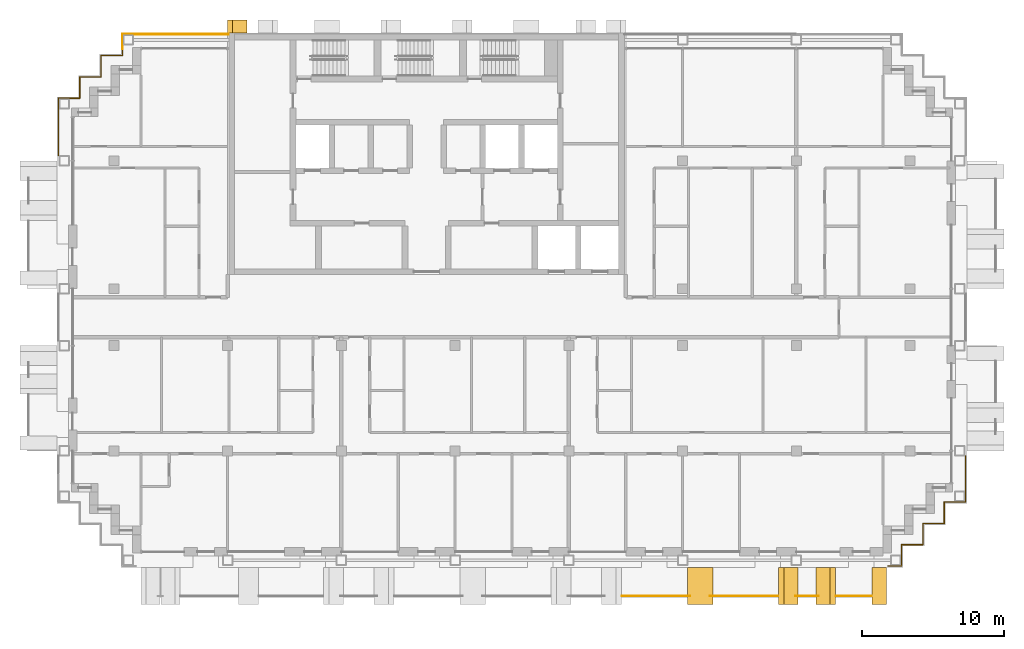
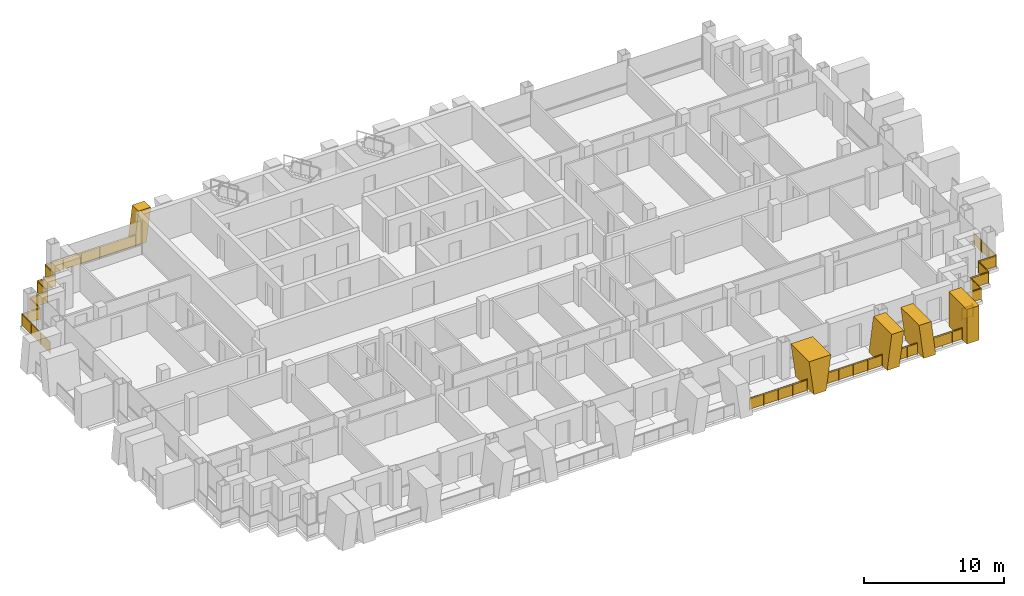
# One storey, part 14 of 16: 8 railings, 5 shading devices.
"""IFC4 building model written with IfcOpenShell, lengths in metres."""

from ifc_helpers import new_model, si_unit, direction, frame, origin, origin_2d, place, context, subcontext, project, spatial, polyline, rectangle, circle, outline, extrude, material, layer, layer_set, type_object, element, save


model = new_model("IFC4")

# Units and contexts
model_context = context("Model", 3, precision=1e-05, world=origin(), true_north=direction((0.0, 1.0)))
body_context = subcontext(model_context, "Body", "Model", "MODEL_VIEW")
ifc_project = project(units=[si_unit("LENGTHUNIT", "METRE"), si_unit("AREAUNIT", "SQUARE_METRE"), si_unit("VOLUMEUNIT", "CUBIC_METRE"), si_unit("PLANEANGLEUNIT", "RADIAN"), si_unit("MASSUNIT", "GRAM", prefix="KILO")], contexts=[model_context])

# Site, building, storey
site_placement = place(None, origin())
site = spatial("IfcSite", under=ifc_project, at=site_placement, CompositionType="ELEMENT")
building_placement = place(site_placement, origin())
building = spatial("IfcBuilding", under=site, at=building_placement, Name="Vidyagriha Tower", CompositionType="ELEMENT")
storey_placement = place(building_placement, frame((0.0, 0.0, 165.300048828125)))
storey = spatial("IfcBuildingStorey", under=building, at=storey_placement, Name="L42", CompositionType="ELEMENT", Elevation=165.300048828125)

# Railings
ifc_material_1 = material(Name="Steel ASTM A500 Grade C black painted", Category="steel")
railing_type_1 = type_object("IfcRailingType", Name="Balcony guard 1100", PredefinedType="BALUSTRADE", material=ifc_material_1)
railing_1_placement = place(storey_placement, frame((13.75, -19.60009765625, 0.0)))
element("IfcRailing", 1, at=railing_1_placement, inside=storey, type_object=railing_type_1, Name="Balcony guard L42 R23.1-8", PredefinedType="BALUSTRADE", context=body_context, shape_type="SweptSolid", body=[
    extrude(circle(Radius=0.02490234375, at=origin_2d()), frame((0.0, 0.0, 1.0751953125), z_axis=(1.0, 0.0, 0.0), x_axis=(0.0, 1.0, 0.0)), (0.0, 0.0, 1.0), 4.773681640625),
    extrude(circle(Radius=0.02001953125, at=origin_2d()), origin(), (0.0, 0.0, 1.0), 1.050048828125),
    extrude(circle(Radius=0.02001953125, at=origin_2d()), frame((1.193359375, 0.0, 0.0)), (0.0, 0.0, 1.0), 1.050048828125),
    extrude(circle(Radius=0.02001953125, at=origin_2d()), frame((2.38671875, 0.0, 0.0)), (0.0, 0.0, 1.0), 1.050048828125),
    extrude(circle(Radius=0.02001953125, at=origin_2d()), frame((3.580322265625, 0.0, 0.0)), (0.0, 0.0, 1.0), 1.050048828125),
    extrude(circle(Radius=0.02001953125, at=origin_2d()), frame((4.773681640625, 0.0, 0.0)), (0.0, 0.0, 1.0), 1.050048828125),
    extrude(rectangle(XDim=0.010009765625, YDim=0.900146484375, at=origin_2d()), frame((0.0, 0.0, 0.550048828125), z_axis=(1.0, 0.0, 0.0), x_axis=(0.0, 1.0, 0.0)), (0.0, 0.0, 1.0), 4.773681640625),
])
railing_2_placement = place(storey_placement, frame((19.926513671875, -19.60009765625, 0.0)))
element("IfcRailing", 2, at=railing_2_placement, inside=storey, type_object=railing_type_1, Name="Balcony guard L42 R23.1-9", PredefinedType="BALUSTRADE", context=body_context, shape_type="SweptSolid", body=[
    extrude(circle(Radius=0.02490234375, at=origin_2d()), frame((0.0, 0.0, 1.0751953125), z_axis=(1.0, 0.0, 0.0), x_axis=(0.0, 1.0, 0.0)), (0.0, 0.0, 1.0), 4.7734375),
    extrude(circle(Radius=0.02001953125, at=origin_2d()), origin(), (0.0, 0.0, 1.0), 1.050048828125),
    extrude(circle(Radius=0.02001953125, at=origin_2d()), frame((1.193359375, 0.0, 0.0)), (0.0, 0.0, 1.0), 1.050048828125),
    extrude(circle(Radius=0.02001953125, at=origin_2d()), frame((2.38671875, 0.0, 0.0)), (0.0, 0.0, 1.0), 1.050048828125),
    extrude(circle(Radius=0.02001953125, at=origin_2d()), frame((3.580078125, 0.0, 0.0)), (0.0, 0.0, 1.0), 1.050048828125),
    extrude(circle(Radius=0.02001953125, at=origin_2d()), frame((4.7734375, 0.0, 0.0)), (0.0, 0.0, 1.0), 1.050048828125),
    extrude(rectangle(XDim=0.010009765625, YDim=0.900146484375, at=origin_2d()), frame((0.0, 0.0, 0.550048828125), z_axis=(1.0, 0.0, 0.0), x_axis=(0.0, 1.0, 0.0)), (0.0, 0.0, 1.0), 4.7734375),
])
railing_3_placement = place(storey_placement, frame((25.94384765625, -19.60009765625, 0.0)))
element("IfcRailing", 3, at=railing_3_placement, inside=storey, type_object=railing_type_1, Name="Balcony guard L42 R23.1-10", PredefinedType="BALUSTRADE", context=body_context, shape_type="SweptSolid", body=[
    extrude(circle(Radius=0.02490234375, at=origin_2d()), frame((0.0, 0.0, 1.0751953125), z_axis=(1.0, 0.0, 0.0), x_axis=(0.0, 1.0, 0.0)), (0.0, 0.0, 1.0), 1.6123046875),
    extrude(circle(Radius=0.02001953125, at=origin_2d()), origin(), (0.0, 0.0, 1.0), 1.050048828125),
    extrude(circle(Radius=0.02001953125, at=origin_2d()), frame((0.80615234375, 0.0, 0.0)), (0.0, 0.0, 1.0), 1.050048828125),
    extrude(circle(Radius=0.02001953125, at=origin_2d()), frame((1.6123046875, 0.0, 0.0)), (0.0, 0.0, 1.0), 1.050048828125),
    extrude(rectangle(XDim=0.010009765625, YDim=0.900146484375, at=origin_2d()), frame((0.0, 0.0, 0.550048828125), z_axis=(1.0, 0.0, 0.0), x_axis=(0.0, 1.0, 0.0)), (0.0, 0.0, 1.0), 1.6123046875),
])
railing_4_placement = place(storey_placement, frame((28.800048828125, -19.60009765625, 0.0)))
element("IfcRailing", 4, at=railing_4_placement, inside=storey, type_object=railing_type_1, Name="Balcony guard L42 R23.1-11", PredefinedType="BALUSTRADE", context=body_context, shape_type="SweptSolid", body=[
    extrude(circle(Radius=0.02490234375, at=origin_2d()), frame((0.0, 0.0, 1.0751953125), z_axis=(1.0, 0.0, 0.0), x_axis=(0.0, 1.0, 0.0)), (0.0, 0.0, 1.0), 2.474853515625),
    extrude(circle(Radius=0.02001953125, at=origin_2d()), origin(), (0.0, 0.0, 1.0), 1.050048828125),
    extrude(circle(Radius=0.02001953125, at=origin_2d()), frame((0.824951171875, 0.0, 0.0)), (0.0, 0.0, 1.0), 1.050048828125),
    extrude(circle(Radius=0.02001953125, at=origin_2d()), frame((1.64990234375, 0.0, 0.0)), (0.0, 0.0, 1.0), 1.050048828125),
    extrude(circle(Radius=0.02001953125, at=origin_2d()), frame((2.474853515625, 0.0, 0.0)), (0.0, 0.0, 1.0), 1.050048828125),
    extrude(rectangle(XDim=0.010009765625, YDim=0.900146484375, at=origin_2d()), frame((0.0, 0.0, 0.550048828125), z_axis=(1.0, 0.0, 0.0), x_axis=(0.0, 1.0, 0.0)), (0.0, 0.0, 1.0), 2.474853515625),
])

# Shading devices
ifc_material_2 = material(Name="Precast concrete C40/50 with buff brick facing", Category="concrete")
ifc_layer_1 = layer(ifc_material_2, 1.0)
ifc_layer_set_1 = layer_set([ifc_layer_1], Name="Precast concrete C40/50 with buff brick facing")
shading_device_type_1 = type_object("IfcShadingDeviceType", Name="Brick-faced blade fin arm leaning 8 degrees", PredefinedType="USERDEFINED", material=ifc_layer_set_1)
shading_device_1_placement = place(storey_placement, frame((24.75, -18.89990234375, 0.0)))
element("IfcShadingDevice", 5, at=shading_device_1_placement, inside=storey, type_object=shading_device_type_1, Name="Leaning blade fin L42 R23.4610a", ObjectType="BLADE FIN", PredefinedType="USERDEFINED", context=body_context, shape_type="SweptSolid", body=[
    extrude(outline(polyline([(0.0, 0.0), (1.0, 0.0), (1.375, 3.0), (0.375, 3.0), (0.0, 0.0)])), frame((0.0, 1.300048828125, 0.0), z_axis=(0.0, -1.0, 0.0), x_axis=(1.0, 0.0, 0.0)), (0.0, 0.0, 1.0), 2.60009765625),
])
shading_device_2_placement = place(storey_placement, frame((27.375, -18.89990234375, 0.0)))
element("IfcShadingDevice", 6, at=shading_device_2_placement, inside=storey, type_object=shading_device_type_1, Name="Leaning blade fin L42 R23.4610b", ObjectType="BLADE FIN", PredefinedType="USERDEFINED", context=body_context, shape_type="SweptSolid", body=[
    extrude(outline(polyline([(0.375, 0.0), (1.375, 0.0), (1.0, 3.0), (0.0, 3.0), (0.375, 0.0)])), frame((0.0, 1.300048828125, 0.0), z_axis=(0.0, -1.0, 0.0), x_axis=(1.0, 0.0, 0.0)), (0.0, 0.0, 1.0), 2.60009765625),
])
ifc_material_3 = material(Name="Precast concrete C40/50 with buff brick facing", Category="concrete")
ifc_layer_2 = layer(ifc_material_3, 1.0)
ifc_layer_set_2 = layer_set([ifc_layer_2], Name="Precast concrete C40/50 with buff brick facing")
shading_device_type_2 = type_object("IfcShadingDeviceType", Name="Brick-faced blade fin forking 8 degrees", PredefinedType="USERDEFINED", material=ifc_layer_set_2)
shading_device_3_placement = place(storey_placement, frame((18.330078125, -18.89990234375, 0.0)))
element("IfcShadingDevice", 7, at=shading_device_3_placement, inside=storey, type_object=shading_device_type_2, Name="Forked blade fin L42 R23.3810a", ObjectType="BLADE FIN", PredefinedType="USERDEFINED", context=body_context, shape_type="SweptSolid", body=[
    extrude(outline(polyline([(0.39501953125, 0.0), (1.39501953125, 0.0), (1.7900390625, 3.0), (0.0, 3.0), (0.39501953125, 0.0)])), frame((0.0, 1.300048828125, 0.0), z_axis=(0.0, -1.0, 0.0), x_axis=(1.0, 0.0, 0.0)), (0.0, 0.0, 1.0), 2.60009765625),
])
ifc_material_4 = material(Name="Precast concrete C40/50 with buff brick facing", Category="concrete")
ifc_layer_3 = layer(ifc_material_4, 1.0)
ifc_layer_set_3 = layer_set([ifc_layer_3], Name="Precast concrete C40/50 with buff brick facing")
shading_device_type_3 = type_object("IfcShadingDeviceType", Name="Brick-faced blade fin stem 1000", PredefinedType="USERDEFINED", material=ifc_layer_set_3)
shading_device_4_placement = place(storey_placement, frame((31.324951171875, -18.89990234375, 0.0)))
element("IfcShadingDevice", 8, at=shading_device_4_placement, inside=storey, type_object=shading_device_type_3, Name="Stem blade fin L42 R23.5220a", ObjectType="BLADE FIN", PredefinedType="USERDEFINED", context=body_context, shape_type="SweptSolid", body=[
    extrude(outline(polyline([(0.0, 0.0), (1.0, 0.0), (1.0, 3.0), (0.0, 3.0), (0.0, 0.0)])), frame((0.0, 1.300048828125, 0.0), z_axis=(0.0, -1.0, 0.0), x_axis=(1.0, 0.0, 0.0)), (0.0, 0.0, 1.0), 2.60009765625),
])
ifc_material_5 = material(Name="Precast concrete C40/50 with brick facing", Category="concrete")
ifc_layer_4 = layer(ifc_material_5, 1.0)
ifc_layer_set_4 = layer_set([ifc_layer_4], Name="Precast concrete C40/50 with brick facing")
shading_device_type_4 = type_object("IfcShadingDeviceType", Name="Brick-faced rear rib arm leaning 8 degrees", PredefinedType="USERDEFINED", material=ifc_layer_set_4)
shading_device_5_placement = place(storey_placement, frame((-12.642822265625, 20.449951171875, 0.0), z_axis=(0.0, 0.0, 1.0), x_axis=(-1.0, 0.0, 0.0)))
element("IfcShadingDevice", 9, at=shading_device_5_placement, inside=storey, type_object=shading_device_type_4, Name="Rear rib arm L42 R08.5b", ObjectType="BLADE FIN", PredefinedType="USERDEFINED", context=body_context, shape_type="SweptSolid", body=[
    extrude(outline(polyline([(0.357177734375, 0.0), (1.357177734375, 0.0), (1.0, 2.919921875), (0.0, 2.919921875), (0.357177734375, 0.0)])), frame((0.0, 0.449951171875, 0.0), z_axis=(0.0, -1.0, 0.0), x_axis=(1.0, 0.0, 0.0)), (0.0, 0.0, 1.0), 0.89990234375),
])

# Railings
ifc_material_6 = material(Name="Steel ASTM A500 Grade C black painted", Category="steel")
railing_type_2 = type_object("IfcRailingType", Name="Gallery guard 1100", PredefinedType="GUARDRAIL", material=ifc_material_6)
railing_5_placement = place(storey_placement, frame((-25.89990234375, 11.360107421875, 0.0)))
element("IfcRailing", 10, at=railing_5_placement, inside=storey, type_object=railing_type_2, Name="Gallery guard L42 4", PredefinedType="GUARDRAIL", context=body_context, shape_type="SweptSolid", body=[
    extrude(circle(Radius=0.02490234375, at=origin_2d()), frame((0.0, 0.0, 1.0751953125), z_axis=(0.0, 1.0, 0.0), x_axis=(-1.0, 0.0, 0.0)), (0.0, 0.0, 1.0), 4.039794921875),
    extrude(circle(Radius=0.02490234375, at=origin_2d()), frame((0.0, 4.039794921875, 1.0751953125), z_axis=(1.0, 0.0, 0.0), x_axis=(0.0, 1.0, 0.0)), (0.0, 0.0, 1.0), 1.5),
    extrude(circle(Radius=0.02490234375, at=origin_2d()), frame((1.5, 4.039794921875, 1.0751953125), z_axis=(0.0, 1.0, 0.0), x_axis=(-1.0, 0.0, 0.0)), (0.0, 0.0, 1.0), 1.5),
    extrude(circle(Radius=0.02490234375, at=origin_2d()), frame((1.5, 5.539794921875, 1.0751953125), z_axis=(1.0, 0.0, 0.0), x_axis=(0.0, 1.0, 0.0)), (0.0, 0.0, 1.0), 1.5),
    extrude(circle(Radius=0.02490234375, at=origin_2d()), frame((3.0, 5.539794921875, 1.0751953125), z_axis=(0.0, 1.0, 0.0), x_axis=(-1.0, 0.0, 0.0)), (0.0, 0.0, 1.0), 1.5),
    extrude(circle(Radius=0.02490234375, at=origin_2d()), frame((3.0, 7.039794921875, 1.0751953125), z_axis=(1.0, 0.0, 0.0), x_axis=(0.0, 1.0, 0.0)), (0.0, 0.0, 1.0), 1.5),
    extrude(circle(Radius=0.02490234375, at=origin_2d()), frame((4.5, 7.039794921875, 1.0751953125), z_axis=(0.0, 1.0, 0.0), x_axis=(-1.0, 0.0, 0.0)), (0.0, 0.0, 1.0), 0.460205078125),
    extrude(circle(Radius=0.02001953125, at=origin_2d()), origin(), (0.0, 0.0, 1.0), 1.050048828125),
    extrude(circle(Radius=0.02001953125, at=origin_2d()), frame((0.0, 1.3466796875, 0.0)), (0.0, 0.0, 1.0), 1.050048828125),
    extrude(circle(Radius=0.02001953125, at=origin_2d()), frame((0.0, 2.693115234375, 0.0)), (0.0, 0.0, 1.0), 1.050048828125),
    extrude(circle(Radius=0.02001953125, at=origin_2d()), frame((0.0, 4.039794921875, 0.0)), (0.0, 0.0, 1.0), 1.050048828125),
    extrude(circle(Radius=0.02001953125, at=origin_2d()), frame((1.5, 4.039794921875, 0.0)), (0.0, 0.0, 1.0), 1.050048828125),
    extrude(circle(Radius=0.02001953125, at=origin_2d()), frame((1.5, 5.539794921875, 0.0)), (0.0, 0.0, 1.0), 1.050048828125),
    extrude(circle(Radius=0.02001953125, at=origin_2d()), frame((3.0, 5.539794921875, 0.0)), (0.0, 0.0, 1.0), 1.050048828125),
    extrude(circle(Radius=0.02001953125, at=origin_2d()), frame((3.0, 7.039794921875, 0.0)), (0.0, 0.0, 1.0), 1.050048828125),
    extrude(circle(Radius=0.02001953125, at=origin_2d()), frame((4.5, 7.039794921875, 0.0)), (0.0, 0.0, 1.0), 1.050048828125),
    extrude(circle(Radius=0.02001953125, at=origin_2d()), frame((4.5, 7.5, 0.0)), (0.0, 0.0, 1.0), 1.050048828125),
    extrude(rectangle(XDim=0.010009765625, YDim=0.900146484375, at=origin_2d()), frame((0.0, 0.0, 0.550048828125), z_axis=(0.0, 1.0, 0.0), x_axis=(-1.0, 0.0, 0.0)), (0.0, 0.0, 1.0), 4.039794921875),
    extrude(rectangle(XDim=0.010009765625, YDim=0.900146484375, at=origin_2d()), frame((0.0, 4.039794921875, 0.550048828125), z_axis=(1.0, 0.0, 0.0), x_axis=(0.0, 1.0, 0.0)), (0.0, 0.0, 1.0), 1.5),
    extrude(rectangle(XDim=0.010009765625, YDim=0.900146484375, at=origin_2d()), frame((1.5, 4.039794921875, 0.550048828125), z_axis=(0.0, 1.0, 0.0), x_axis=(-1.0, 0.0, 0.0)), (0.0, 0.0, 1.0), 1.5),
    extrude(rectangle(XDim=0.010009765625, YDim=0.900146484375, at=origin_2d()), frame((1.5, 5.539794921875, 0.550048828125), z_axis=(1.0, 0.0, 0.0), x_axis=(0.0, 1.0, 0.0)), (0.0, 0.0, 1.0), 1.5),
    extrude(rectangle(XDim=0.010009765625, YDim=0.900146484375, at=origin_2d()), frame((3.0, 5.539794921875, 0.550048828125), z_axis=(0.0, 1.0, 0.0), x_axis=(-1.0, 0.0, 0.0)), (0.0, 0.0, 1.0), 1.5),
    extrude(rectangle(XDim=0.010009765625, YDim=0.900146484375, at=origin_2d()), frame((3.0, 7.039794921875, 0.550048828125), z_axis=(1.0, 0.0, 0.0), x_axis=(0.0, 1.0, 0.0)), (0.0, 0.0, 1.0), 1.5),
    extrude(rectangle(XDim=0.010009765625, YDim=0.900146484375, at=origin_2d()), frame((4.5, 7.039794921875, 0.550048828125), z_axis=(0.0, 1.0, 0.0), x_axis=(-1.0, 0.0, 0.0)), (0.0, 0.0, 1.0), 0.460205078125),
])
railing_6_placement = place(storey_placement, frame((-21.39990234375, 18.860107421875, 0.0)))
element("IfcRailing", 11, at=railing_6_placement, inside=storey, type_object=railing_type_2, Name="Gallery guard L42 5", PredefinedType="GUARDRAIL", context=body_context, shape_type="SweptSolid", body=[
    extrude(circle(Radius=0.02490234375, at=origin_2d()), frame((0.0, 0.0, 1.0751953125), z_axis=(0.0, 1.0, 0.0), x_axis=(-1.0, 0.0, 0.0)), (0.0, 0.0, 1.0), 1.039794921875),
    extrude(circle(Radius=0.02490234375, at=origin_2d()), frame((0.0, 1.039794921875, 1.0751953125), z_axis=(1.0, 0.0, 0.0), x_axis=(0.0, 1.0, 0.0)), (0.0, 0.0, 1.0), 7.469970703125),
    extrude(circle(Radius=0.02001953125, at=origin_2d()), origin(), (0.0, 0.0, 1.0), 1.050048828125),
    extrude(circle(Radius=0.02001953125, at=origin_2d()), frame((0.0, 1.039794921875, 0.0)), (0.0, 0.0, 1.0), 1.050048828125),
    extrude(circle(Radius=0.02001953125, at=origin_2d()), frame((1.493896484375, 1.039794921875, 0.0)), (0.0, 0.0, 1.0), 1.050048828125),
    extrude(circle(Radius=0.02001953125, at=origin_2d()), frame((2.988037109375, 1.039794921875, 0.0)), (0.0, 0.0, 1.0), 1.050048828125),
    extrude(circle(Radius=0.02001953125, at=origin_2d()), frame((4.48193359375, 1.039794921875, 0.0)), (0.0, 0.0, 1.0), 1.050048828125),
    extrude(circle(Radius=0.02001953125, at=origin_2d()), frame((5.97607421875, 1.039794921875, 0.0)), (0.0, 0.0, 1.0), 1.050048828125),
    extrude(circle(Radius=0.02001953125, at=origin_2d()), frame((7.469970703125, 1.039794921875, 0.0)), (0.0, 0.0, 1.0), 1.050048828125),
    extrude(rectangle(XDim=0.010009765625, YDim=0.900146484375, at=origin_2d()), frame((0.0, 0.0, 0.550048828125), z_axis=(0.0, 1.0, 0.0), x_axis=(-1.0, 0.0, 0.0)), (0.0, 0.0, 1.0), 1.039794921875),
    extrude(rectangle(XDim=0.010009765625, YDim=0.900146484375, at=origin_2d()), frame((0.0, 1.039794921875, 0.550048828125), z_axis=(1.0, 0.0, 0.0), x_axis=(0.0, 1.0, 0.0)), (0.0, 0.0, 1.0), 7.469970703125),
])
railing_7_placement = place(storey_placement, frame((37.89990234375, -9.760009765625, 0.0)))
element("IfcRailing", 12, at=railing_7_placement, inside=storey, type_object=railing_type_2, Name="Gallery guard L42 9", PredefinedType="GUARDRAIL", context=body_context, shape_type="SweptSolid", body=[
    extrude(circle(Radius=0.02490234375, at=origin_2d()), frame((0.0, 0.0, 1.0751953125), z_axis=(0.0, -1.0, 0.0), x_axis=(1.0, 0.0, 0.0)), (0.0, 0.0, 1.0), 3.239990234375),
    extrude(circle(Radius=0.02490234375, at=origin_2d()), frame((0.0, -3.239990234375, 1.0751953125), z_axis=(-1.0, 0.0, 0.0), x_axis=(0.0, -1.0, 0.0)), (0.0, 0.0, 1.0), 1.5),
    extrude(circle(Radius=0.02490234375, at=origin_2d()), frame((-1.5, -3.239990234375, 1.0751953125), z_axis=(0.0, -1.0, 0.0), x_axis=(1.0, 0.0, 0.0)), (0.0, 0.0, 1.0), 1.5),
    extrude(circle(Radius=0.02490234375, at=origin_2d()), frame((-1.5, -4.739990234375, 1.0751953125), z_axis=(-1.0, 0.0, 0.0), x_axis=(0.0, -1.0, 0.0)), (0.0, 0.0, 1.0), 1.5),
    extrude(circle(Radius=0.02490234375, at=origin_2d()), frame((-3.0, -4.739990234375, 1.0751953125), z_axis=(0.0, -1.0, 0.0), x_axis=(1.0, 0.0, 0.0)), (0.0, 0.0, 1.0), 1.5),
    extrude(circle(Radius=0.02490234375, at=origin_2d()), frame((-3.0, -6.239990234375, 1.0751953125), z_axis=(-1.0, 0.0, 0.0), x_axis=(0.0, -1.0, 0.0)), (0.0, 0.0, 1.0), 1.5),
    extrude(circle(Radius=0.02490234375, at=origin_2d()), frame((-4.5, -6.239990234375, 1.0751953125), z_axis=(0.0, -1.0, 0.0), x_axis=(1.0, 0.0, 0.0)), (0.0, 0.0, 1.0), 1.260009765625),
    extrude(circle(Radius=0.02001953125, at=origin_2d()), origin(), (0.0, 0.0, 1.0), 1.050048828125),
    extrude(circle(Radius=0.02001953125, at=origin_2d()), frame((0.0, -1.080078125, 0.0)), (0.0, 0.0, 1.0), 1.050048828125),
    extrude(circle(Radius=0.02001953125, at=origin_2d()), frame((0.0, -2.159912109375, 0.0)), (0.0, 0.0, 1.0), 1.050048828125),
    extrude(circle(Radius=0.02001953125, at=origin_2d()), frame((0.0, -3.239990234375, 0.0)), (0.0, 0.0, 1.0), 1.050048828125),
    extrude(circle(Radius=0.02001953125, at=origin_2d()), frame((-1.5, -3.239990234375, 0.0)), (0.0, 0.0, 1.0), 1.050048828125),
    extrude(circle(Radius=0.02001953125, at=origin_2d()), frame((-1.5, -4.739990234375, 0.0)), (0.0, 0.0, 1.0), 1.050048828125),
    extrude(circle(Radius=0.02001953125, at=origin_2d()), frame((-3.0, -4.739990234375, 0.0)), (0.0, 0.0, 1.0), 1.050048828125),
    extrude(circle(Radius=0.02001953125, at=origin_2d()), frame((-3.0, -6.239990234375, 0.0)), (0.0, 0.0, 1.0), 1.050048828125),
    extrude(circle(Radius=0.02001953125, at=origin_2d()), frame((-4.5, -6.239990234375, 0.0)), (0.0, 0.0, 1.0), 1.050048828125),
    extrude(circle(Radius=0.02001953125, at=origin_2d()), frame((-4.5, -7.5, 0.0)), (0.0, 0.0, 1.0), 1.050048828125),
    extrude(rectangle(XDim=0.010009765625, YDim=0.900146484375, at=origin_2d()), frame((0.0, 0.0, 0.550048828125), z_axis=(0.0, -1.0, 0.0), x_axis=(1.0, 0.0, 0.0)), (0.0, 0.0, 1.0), 3.239990234375),
    extrude(rectangle(XDim=0.010009765625, YDim=0.900146484375, at=origin_2d()), frame((0.0, -3.239990234375, 0.550048828125), z_axis=(-1.0, 0.0, 0.0), x_axis=(0.0, -1.0, 0.0)), (0.0, 0.0, 1.0), 1.5),
    extrude(rectangle(XDim=0.010009765625, YDim=0.900146484375, at=origin_2d()), frame((-1.5, -3.239990234375, 0.550048828125), z_axis=(0.0, -1.0, 0.0), x_axis=(1.0, 0.0, 0.0)), (0.0, 0.0, 1.0), 1.5),
    extrude(rectangle(XDim=0.010009765625, YDim=0.900146484375, at=origin_2d()), frame((-1.5, -4.739990234375, 0.550048828125), z_axis=(-1.0, 0.0, 0.0), x_axis=(0.0, -1.0, 0.0)), (0.0, 0.0, 1.0), 1.5),
    extrude(rectangle(XDim=0.010009765625, YDim=0.900146484375, at=origin_2d()), frame((-3.0, -4.739990234375, 0.550048828125), z_axis=(0.0, -1.0, 0.0), x_axis=(1.0, 0.0, 0.0)), (0.0, 0.0, 1.0), 1.5),
    extrude(rectangle(XDim=0.010009765625, YDim=0.900146484375, at=origin_2d()), frame((-3.0, -6.239990234375, 0.550048828125), z_axis=(-1.0, 0.0, 0.0), x_axis=(0.0, -1.0, 0.0)), (0.0, 0.0, 1.0), 1.5),
    extrude(rectangle(XDim=0.010009765625, YDim=0.900146484375, at=origin_2d()), frame((-4.5, -6.239990234375, 0.550048828125), z_axis=(0.0, -1.0, 0.0), x_axis=(1.0, 0.0, 0.0)), (0.0, 0.0, 1.0), 1.260009765625),
])
railing_8_placement = place(storey_placement, frame((33.39990234375, -17.260009765625, 0.0)))
element("IfcRailing", 13, at=railing_8_placement, inside=storey, type_object=railing_type_2, Name="Gallery guard L42 10", PredefinedType="GUARDRAIL", context=body_context, shape_type="SweptSolid", body=[
    extrude(circle(Radius=0.02490234375, at=origin_2d()), frame((0.0, 0.0, 1.0751953125), z_axis=(0.0, -1.0, 0.0), x_axis=(1.0, 0.0, 0.0)), (0.0, 0.0, 1.0), 0.239990234375),
    extrude(circle(Radius=0.02490234375, at=origin_2d()), frame((0.0, -0.239990234375, 1.0751953125), z_axis=(-1.0, 0.0, 0.0), x_axis=(0.0, -1.0, 0.0)), (0.0, 0.0, 1.0), 0.93994140625),
    extrude(circle(Radius=0.02001953125, at=origin_2d()), origin(), (0.0, 0.0, 1.0), 1.050048828125),
    extrude(circle(Radius=0.02001953125, at=origin_2d()), frame((0.0, -0.239990234375, 0.0)), (0.0, 0.0, 1.0), 1.050048828125),
    extrude(circle(Radius=0.02001953125, at=origin_2d()), frame((-0.93994140625, -0.239990234375, 0.0)), (0.0, 0.0, 1.0), 1.050048828125),
    extrude(rectangle(XDim=0.010009765625, YDim=0.900146484375, at=origin_2d()), frame((0.0, 0.0, 0.550048828125), z_axis=(0.0, -1.0, 0.0), x_axis=(1.0, 0.0, 0.0)), (0.0, 0.0, 1.0), 0.239990234375),
    extrude(rectangle(XDim=0.010009765625, YDim=0.900146484375, at=origin_2d()), frame((0.0, -0.239990234375, 0.550048828125), z_axis=(-1.0, 0.0, 0.0), x_axis=(0.0, -1.0, 0.0)), (0.0, 0.0, 1.0), 0.93994140625),
])

save(model, "model.ifc")
